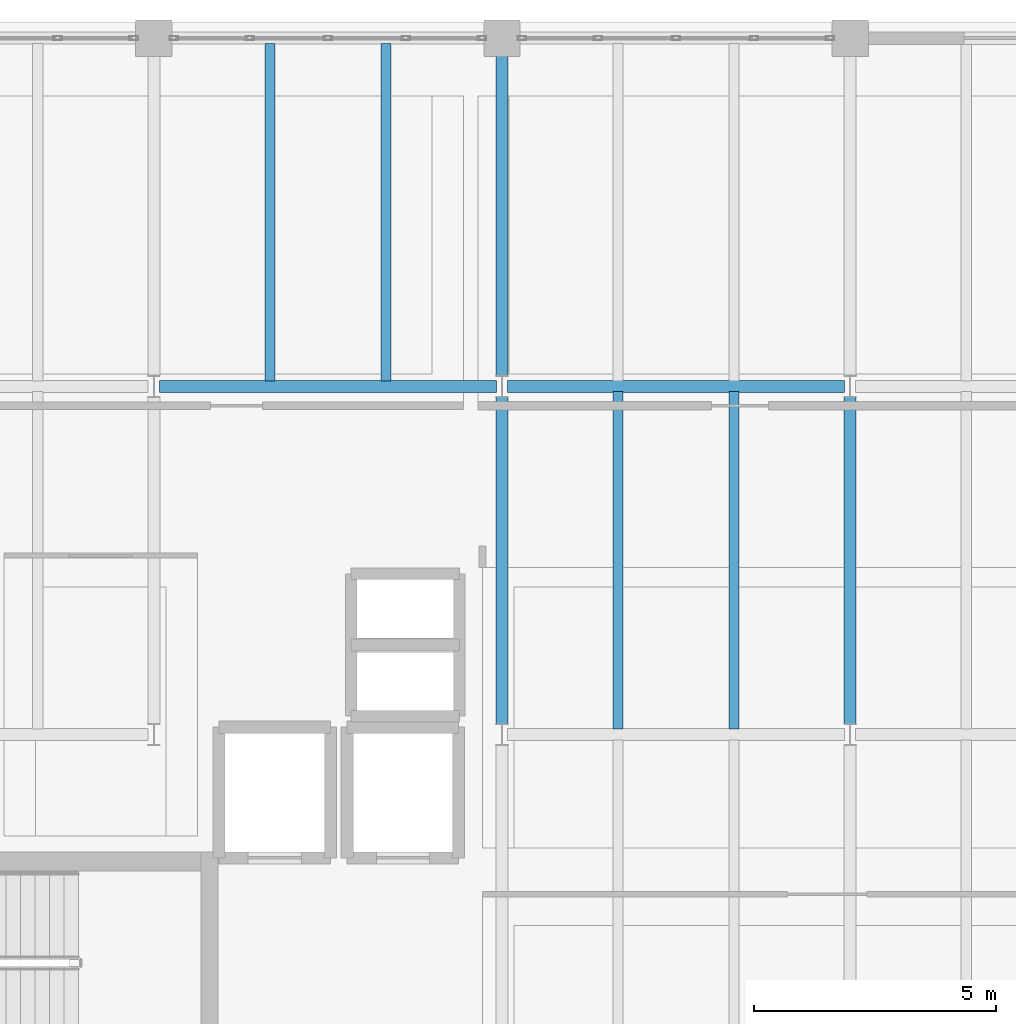
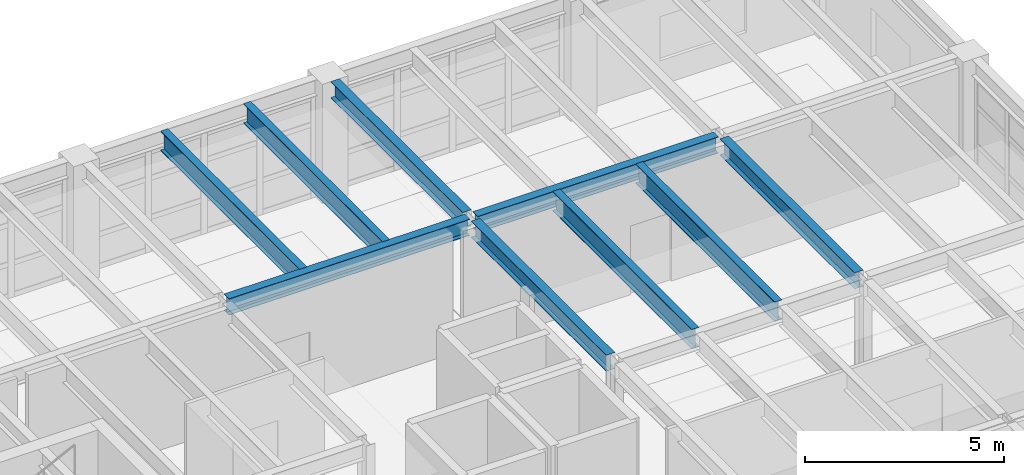
# One storey, part 10 of 24: 9 beams.
"""IFC4 building model written with IfcOpenShell, lengths in metres."""

from ifc_helpers import new_model, si_unit, direction, frame, origin, origin_2d, place, context, subcontext, project, spatial, i_section, extrude, material, material_profile, profile_set, type_object, element, save


model = new_model("IFC4")

# Units and contexts
model_context = context("Model", 3, precision=1e-05, world=origin(), true_north=direction((0.0, 1.0)))
body_context = subcontext(model_context, "Body", "Model", "MODEL_VIEW")
ifc_project = project(units=[si_unit("LENGTHUNIT", "METRE"), si_unit("AREAUNIT", "SQUARE_METRE"), si_unit("VOLUMEUNIT", "CUBIC_METRE"), si_unit("PLANEANGLEUNIT", "RADIAN"), si_unit("MASSUNIT", "GRAM", prefix="KILO")], contexts=[model_context])

# Site, building, storey
site_placement = place(None, origin())
site = spatial("IfcSite", under=ifc_project, at=site_placement, CompositionType="ELEMENT")
building_placement = place(site_placement, origin())
building = spatial("IfcBuilding", under=site, at=building_placement, Name="Kandorven Conservatory and Botanical Research Centre", CompositionType="ELEMENT")
storey_placement = place(building_placement, frame((0.0, 0.0, 24.89990234375)))
storey = spatial("IfcBuildingStorey", under=building, at=storey_placement, Name="L06", CompositionType="ELEMENT", Elevation=24.89990234375)

# Beams
ifc_material_1 = material(Name="Steel S355 (IS 2062 E350)", Category="steel")
ifc_material_profile_1 = material_profile(ifc_material_1, i_section(OverallWidth=0.25, OverallDepth=0.5, WebThickness=0.010009765625, FlangeThickness=0.0146484375, at=origin_2d()))
ifc_profile_set_1 = profile_set([ifc_material_profile_1], Name="Steel S355 (IS 2062 E350)")
beam_type_1 = type_object("IfcBeamType", Name="Beam_FG-02", PredefinedType="USERDEFINED", material=ifc_profile_set_1)
beam_1_placement = place(storey_placement, frame((20.514892578125, 27.60009765625, 3.400146484375), z_axis=(1.0, 0.0, 0.0), x_axis=(0.0, 1.0, 0.0)))
element("IfcBeam", 1, at=beam_1_placement, inside=storey, type_object=beam_type_1, Name="Primary girder FG-02 TWR L06", ObjectType="GIRDER", PredefinedType="USERDEFINED", context=body_context, shape_type="SweptSolid", body=[
    extrude(i_section(OverallWidth=0.25, OverallDepth=0.5, WebThickness=0.010009765625, FlangeThickness=0.0146484375, at=origin_2d()), origin(), (0.0, 0.0, 1.0), 6.97021484375),
])
beam_2_placement = place(storey_placement, frame((27.715087890625, 27.60009765625, 3.400146484375), z_axis=(1.0, 0.0, 0.0), x_axis=(0.0, 1.0, 0.0)))
element("IfcBeam", 2, at=beam_2_placement, inside=storey, type_object=beam_type_1, Name="Primary girder FG-02 TWR L06", ObjectType="GIRDER", PredefinedType="USERDEFINED", context=body_context, shape_type="SweptSolid", body=[
    extrude(i_section(OverallWidth=0.25, OverallDepth=0.5, WebThickness=0.010009765625, FlangeThickness=0.0146484375, at=origin_2d()), origin(), (0.0, 0.0, 1.0), 6.969970703125),
])
beam_3_placement = place(storey_placement, frame((27.60009765625, 20.614990234375, 3.400146484375), z_axis=(0.0, 1.0, 0.0), x_axis=(-1.0, 0.0, 0.0)))
element("IfcBeam", 3, at=beam_3_placement, inside=storey, type_object=beam_type_1, Name="Primary girder FG-02 TWR L06", ObjectType="GIRDER", PredefinedType="USERDEFINED", context=body_context, shape_type="SweptSolid", body=[
    extrude(i_section(OverallWidth=0.25, OverallDepth=0.5, WebThickness=0.010009765625, FlangeThickness=0.0146484375, at=origin_2d()), origin(), (0.0, 0.0, 1.0), 6.77001953125),
])
beam_4_placement = place(storey_placement, frame((27.60009765625, 27.81494140625, 3.400146484375), z_axis=(0.0, 1.0, 0.0), x_axis=(-1.0, 0.0, 0.0)))
element("IfcBeam", 4, at=beam_4_placement, inside=storey, type_object=beam_type_1, Name="Primary girder FG-02 TWR L06", ObjectType="GIRDER", PredefinedType="USERDEFINED", context=body_context, shape_type="SweptSolid", body=[
    extrude(i_section(OverallWidth=0.25, OverallDepth=0.5, WebThickness=0.010009765625, FlangeThickness=0.0146484375, at=origin_2d()), origin(), (0.0, 0.0, 1.0), 6.6201171875),
])
beam_5_placement = place(storey_placement, frame((34.800048828125, 20.614990234375, 3.400146484375), z_axis=(0.0, 1.0, 0.0), x_axis=(-1.0, 0.0, 0.0)))
element("IfcBeam", 5, at=beam_5_placement, inside=storey, type_object=beam_type_1, Name="Primary girder FG-02 TWR L06", ObjectType="GIRDER", PredefinedType="USERDEFINED", context=body_context, shape_type="SweptSolid", body=[
    extrude(i_section(OverallWidth=0.25, OverallDepth=0.5, WebThickness=0.010009765625, FlangeThickness=0.0146484375, at=origin_2d()), origin(), (0.0, 0.0, 1.0), 6.77001953125),
])
ifc_material_2 = material(Name="Steel S355 (IS 2062 E350)", Category="steel")
ifc_material_profile_2 = material_profile(ifc_material_2, i_section(OverallWidth=0.2099609375, OverallDepth=0.60009765625, WebThickness=0.011962890625, FlangeThickness=0.020751953125, at=origin_2d()))
ifc_profile_set_2 = profile_set([ifc_material_profile_2], Name="Steel S355 (IS 2062 E350)")
beam_type_2 = type_object("IfcBeamType", Name="Beam_SB-01", PredefinedType="BEAM", material=ifc_profile_set_2)
for number, where, z_axis, x_axis, name in (
    (6, (22.800048828125, 27.7099609375, 3.35009765625), (0.0, 1.0, 0.0), (-1.0, 0.0, 0.0), "Composite secondary beam SB-01 TWR L06"),
    (7, (25.199951171875, 27.7099609375, 3.35009765625), (0.0, 1.0, 0.0), (-1.0, 0.0, 0.0), "Composite secondary beam SB-01 TWR L06"),
    (8, (30.0, 20.510009765625, 3.35009765625), (0.0, 1.0, 0.0), (-1.0, 0.0, 0.0), "Composite secondary beam SB-01 TWR L06"),
    (9, (32.39990234375, 20.510009765625, 3.35009765625), (0.0, 1.0, 0.0), (-1.0, 0.0, 0.0), "Composite secondary beam SB-01 TWR L06"),
):
    element("IfcBeam", number, at=place(storey_placement, frame(where, z_axis=z_axis, x_axis=x_axis)), inside=storey, type_object=beam_type_2, Name=name, PredefinedType="BEAM", context=body_context, shape_type="SweptSolid", body=[
        extrude(i_section(OverallWidth=0.2099609375, OverallDepth=0.60009765625, WebThickness=0.011962890625, FlangeThickness=0.020751953125, at=origin_2d()), origin(), (0.0, 0.0, 1.0), 6.97998046875),
    ])

save(model, "model.ifc")
